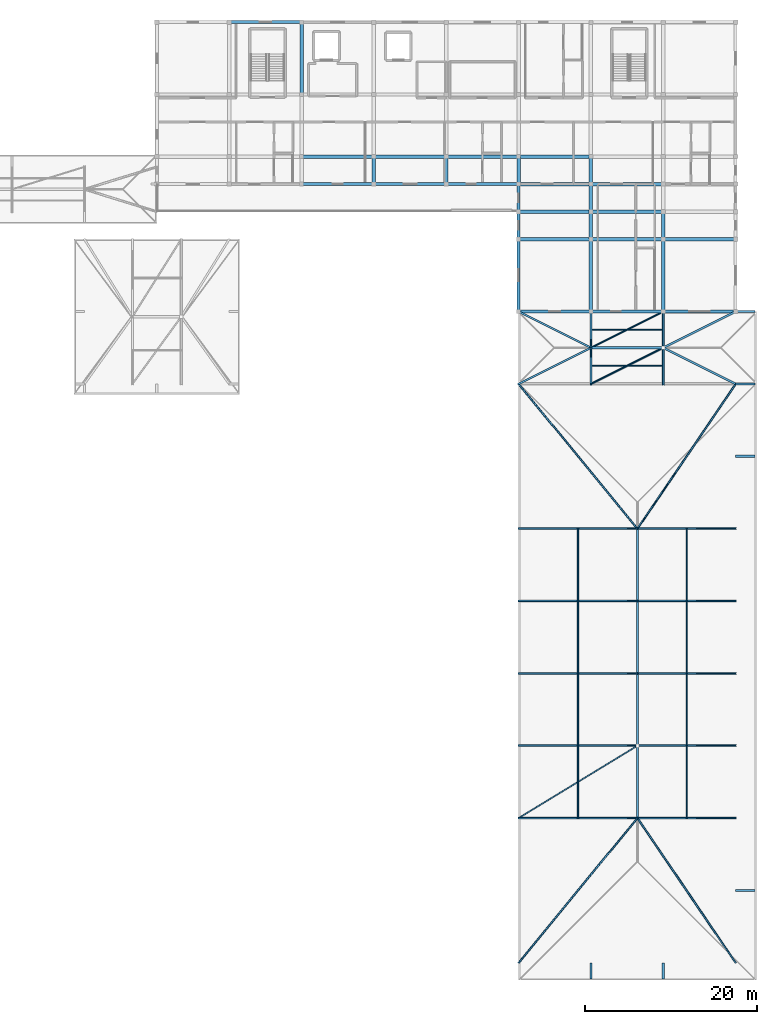
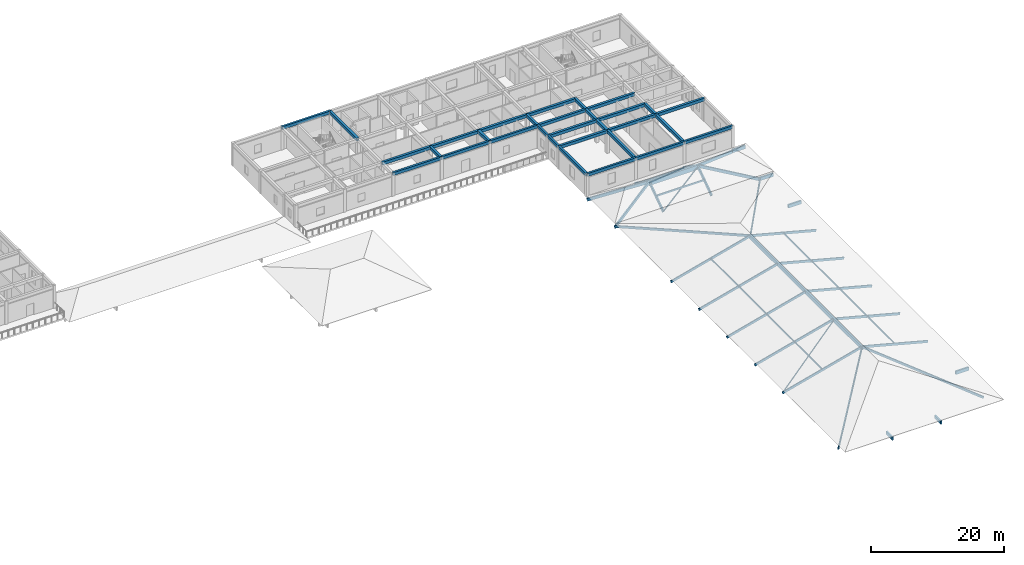
# One storey, part 5 of 26: 39 beams, 35 members.
"""IFC4 building model written with IfcOpenShell, lengths in metres."""

from ifc_helpers import new_model, si_unit, direction, frame, origin, origin_2d, place, context, subcontext, project, spatial, rectangle, hollow_rectangle, hollow_circle, extrude, material, material_profile, profile_set, type_object, element, save


model = new_model("IFC4")

# Units and contexts
model_context = context("Model", 3, precision=1e-05, world=origin(), true_north=direction((0.0, 1.0)))
body_context = subcontext(model_context, "Body", "Model", "MODEL_VIEW")
ifc_project = project(units=[si_unit("LENGTHUNIT", "METRE"), si_unit("AREAUNIT", "SQUARE_METRE"), si_unit("VOLUMEUNIT", "CUBIC_METRE"), si_unit("PLANEANGLEUNIT", "RADIAN"), si_unit("MASSUNIT", "GRAM", prefix="KILO")], contexts=[model_context])

# Site, building, storey
site_placement = place(None, origin())
site = spatial("IfcSite", under=ifc_project, at=site_placement, CompositionType="ELEMENT")
building_placement = place(site_placement, origin())
building = spatial("IfcBuilding", under=site, at=building_placement, Name="Varncliffe General Hospital", CompositionType="ELEMENT")
storey_placement = place(building_placement, frame((0.0, 0.0, 28.800048828125)))
storey = spatial("IfcBuildingStorey", under=building, at=storey_placement, Name="L06", CompositionType="ELEMENT", Elevation=28.800048828125)

# Beams
ifc_material_1 = material(Name="Concrete C35/45 (CSA A23.1 35 MPa)", Category="concrete")
ifc_material_profile_1 = material_profile(ifc_material_1, rectangle(XDim=0.39990234375, YDim=0.550048828125, at=origin_2d()), Name="RC 400x550")
ifc_profile_set_1 = profile_set([ifc_material_profile_1], Name="Concrete C35/45 (CSA A23.1 35 MPa)")
beam_type_1 = type_object("IfcBeamType", Name="Beam B32 (Int RC 400x550)", PredefinedType="BEAM", material=ifc_profile_set_1)
beam_1_placement = place(storey_placement, frame((151.199951171875, 99.60009765625, 3.925048828125), z_axis=(1.0, 0.0, 0.0), x_axis=(0.0, 1.0, 0.0)))
element("IfcBeam", 1, at=beam_1_placement, inside=storey, type_object=beam_type_1, Name="L06 Primary Beam B32-10", PredefinedType="BEAM", context=body_context, shape_type="SweptSolid", body=[
    extrude(rectangle(XDim=0.39990234375, YDim=0.550048828125, at=origin_2d()), origin(), (0.0, 0.0, 1.0), 8.400146484375),
])
for number, where, z_axis, x_axis, name in (
    (2, (159.60009765625, 99.60009765625, 3.925048828125), (1.0, 0.0, 0.0), (0.0, 1.0, 0.0), "L06 Primary Beam B32-11"),
    (3, (168.0, 99.60009765625, 3.925048828125), (1.0, 0.0, 0.0), (0.0, 1.0, 0.0), "L06 Primary Beam B32-12"),
):
    element("IfcBeam", number, at=place(storey_placement, frame(where, z_axis=z_axis, x_axis=x_axis)), inside=storey, type_object=beam_type_1, Name=name, PredefinedType="BEAM", context=body_context, shape_type="SweptSolid", body=[
        extrude(rectangle(XDim=0.39990234375, YDim=0.550048828125, at=origin_2d()), origin(), (0.0, 0.0, 1.0), 8.39990234375),
    ])
beam_2_placement = place(storey_placement, frame((151.199951171875, 102.800048828125, 3.925048828125), z_axis=(1.0, 0.0, 0.0), x_axis=(0.0, 1.0, 0.0)))
element("IfcBeam", 4, at=beam_2_placement, inside=storey, type_object=beam_type_1, Name="L06 Primary Beam B32-16", PredefinedType="BEAM", context=body_context, shape_type="SweptSolid", body=[
    extrude(rectangle(XDim=0.39990234375, YDim=0.550048828125, at=origin_2d()), origin(), (0.0, 0.0, 1.0), 8.400146484375),
])
beam_3_placement = place(storey_placement, frame((159.60009765625, 102.800048828125, 3.925048828125), z_axis=(1.0, 0.0, 0.0), x_axis=(0.0, 1.0, 0.0)))
element("IfcBeam", 5, at=beam_3_placement, inside=storey, type_object=beam_type_1, Name="L06 Primary Beam B32-17", PredefinedType="BEAM", context=body_context, shape_type="SweptSolid", body=[
    extrude(rectangle(XDim=0.39990234375, YDim=0.550048828125, at=origin_2d()), origin(), (0.0, 0.0, 1.0), 8.39990234375),
])
beam_4_placement = place(storey_placement, frame((151.199951171875, 106.0, 3.925048828125), z_axis=(1.0, 0.0, 0.0), x_axis=(0.0, 1.0, 0.0)))
element("IfcBeam", 6, at=beam_4_placement, inside=storey, type_object=beam_type_1, Name="L06 Primary Beam B32-32", PredefinedType="BEAM", context=body_context, shape_type="SweptSolid", body=[
    extrude(rectangle(XDim=0.39990234375, YDim=0.550048828125, at=origin_2d()), origin(), (0.0, 0.0, 1.0), 8.400146484375),
])
for number, where, z_axis, x_axis, name in (
    (7, (159.60009765625, 106.0, 3.925048828125), (1.0, 0.0, 0.0), (0.0, 1.0, 0.0), "L06 Primary Beam B32-33"),
    (8, (126.0, 109.199951171875, 3.925048828125), (1.0, 0.0, 0.0), (0.0, 1.0, 0.0), "L06 Primary Beam B32-45"),
):
    element("IfcBeam", number, at=place(storey_placement, frame(where, z_axis=z_axis, x_axis=x_axis)), inside=storey, type_object=beam_type_1, Name=name, PredefinedType="BEAM", context=body_context, shape_type="SweptSolid", body=[
        extrude(rectangle(XDim=0.39990234375, YDim=0.550048828125, at=origin_2d()), origin(), (0.0, 0.0, 1.0), 8.39990234375),
    ])
beam_5_placement = place(storey_placement, frame((134.39990234375, 109.199951171875, 3.925048828125), z_axis=(1.0, 0.0, 0.0), x_axis=(0.0, 1.0, 0.0)))
element("IfcBeam", 9, at=beam_5_placement, inside=storey, type_object=beam_type_1, Name="L06 Primary Beam B32-46", PredefinedType="BEAM", context=body_context, shape_type="SweptSolid", body=[
    extrude(rectangle(XDim=0.39990234375, YDim=0.550048828125, at=origin_2d()), origin(), (0.0, 0.0, 1.0), 8.400146484375),
])
beam_6_placement = place(storey_placement, frame((142.800048828125, 109.199951171875, 3.925048828125), z_axis=(1.0, 0.0, 0.0), x_axis=(0.0, 1.0, 0.0)))
element("IfcBeam", 10, at=beam_6_placement, inside=storey, type_object=beam_type_1, Name="L06 Primary Beam B32-47", PredefinedType="BEAM", context=body_context, shape_type="SweptSolid", body=[
    extrude(rectangle(XDim=0.39990234375, YDim=0.550048828125, at=origin_2d()), origin(), (0.0, 0.0, 1.0), 8.39990234375),
])
for number, where, z_axis, x_axis, name in (
    (11, (151.199951171875, 109.199951171875, 3.925048828125), (1.0, 0.0, 0.0), (0.0, 1.0, 0.0), "L06 Primary Beam B32-48"),
    (12, (126.0, 116.39990234375, 3.925048828125), (0.0, 1.0, 0.0), (-1.0, 0.0, 0.0), "L06 Primary Beam B32-130"),
):
    element("IfcBeam", number, at=place(storey_placement, frame(where, z_axis=z_axis, x_axis=x_axis)), inside=storey, type_object=beam_type_1, Name=name, PredefinedType="BEAM", context=body_context, shape_type="SweptSolid", body=[
        extrude(rectangle(XDim=0.39990234375, YDim=0.550048828125, at=origin_2d()), origin(), (0.0, 0.0, 1.0), 8.400146484375),
    ])
for number, where, z_axis, x_axis, name in (
    (13, (134.39990234375, 106.0, 3.925048828125), (0.0, 1.0, 0.0), (-1.0, 0.0, 0.0), "L06 Primary Beam B32-131"),
    (14, (142.800048828125, 106.0, 3.925048828125), (0.0, 1.0, 0.0), (-1.0, 0.0, 0.0), "L06 Primary Beam B32-134"),
    (15, (151.199951171875, 106.0, 3.925048828125), (0.0, 1.0, 0.0), (-1.0, 0.0, 0.0), "L06 Primary Beam B32-140"),
):
    element("IfcBeam", number, at=place(storey_placement, frame(where, z_axis=z_axis, x_axis=x_axis)), inside=storey, type_object=beam_type_1, Name=name, PredefinedType="BEAM", context=body_context, shape_type="SweptSolid", body=[
        extrude(rectangle(XDim=0.39990234375, YDim=0.550048828125, at=origin_2d()), origin(), (0.0, 0.0, 1.0), 3.199951171875),
    ])
beam_7_placement = place(storey_placement, frame((159.60009765625, 91.199951171875, 3.925048828125), z_axis=(0.0, 1.0, 0.0), x_axis=(-1.0, 0.0, 0.0)))
element("IfcBeam", 16, at=beam_7_placement, inside=storey, type_object=beam_type_1, Name="L06 Primary Beam B32-143", PredefinedType="BEAM", context=body_context, shape_type="SweptSolid", body=[
    extrude(rectangle(XDim=0.39990234375, YDim=0.550048828125, at=origin_2d()), origin(), (0.0, 0.0, 1.0), 8.400146484375),
])
for number, where, z_axis, x_axis, name in (
    (17, (159.60009765625, 99.60009765625, 3.925048828125), (0.0, 1.0, 0.0), (-1.0, 0.0, 0.0), "L06 Primary Beam B32-144"),
    (18, (159.60009765625, 102.800048828125, 3.925048828125), (0.0, 1.0, 0.0), (-1.0, 0.0, 0.0), "L06 Primary Beam B32-145"),
    (19, (159.60009765625, 106.0, 3.925048828125), (0.0, 1.0, 0.0), (-1.0, 0.0, 0.0), "L06 Primary Beam B32-146"),
):
    element("IfcBeam", number, at=place(storey_placement, frame(where, z_axis=z_axis, x_axis=x_axis)), inside=storey, type_object=beam_type_1, Name=name, PredefinedType="BEAM", context=body_context, shape_type="SweptSolid", body=[
        extrude(rectangle(XDim=0.39990234375, YDim=0.550048828125, at=origin_2d()), origin(), (0.0, 0.0, 1.0), 3.199951171875),
    ])
beam_8_placement = place(storey_placement, frame((168.0, 91.199951171875, 3.925048828125), z_axis=(0.0, 1.0, 0.0), x_axis=(-1.0, 0.0, 0.0)))
element("IfcBeam", 20, at=beam_8_placement, inside=storey, type_object=beam_type_1, Name="L06 Primary Beam B32-149", PredefinedType="BEAM", context=body_context, shape_type="SweptSolid", body=[
    extrude(rectangle(XDim=0.39990234375, YDim=0.550048828125, at=origin_2d()), origin(), (0.0, 0.0, 1.0), 8.400146484375),
])
beam_9_placement = place(storey_placement, frame((168.0, 99.60009765625, 3.925048828125), z_axis=(0.0, 1.0, 0.0), x_axis=(-1.0, 0.0, 0.0)))
element("IfcBeam", 21, at=beam_9_placement, inside=storey, type_object=beam_type_1, Name="L06 Primary Beam B32-150", PredefinedType="BEAM", context=body_context, shape_type="SweptSolid", body=[
    extrude(rectangle(XDim=0.39990234375, YDim=0.550048828125, at=origin_2d()), origin(), (0.0, 0.0, 1.0), 3.199951171875),
])
ifc_material_2 = material(Name="Glulam GL28h (CSA O86 24f-EX, 30 MPa)", Category="wood")
ifc_material_profile_2 = material_profile(ifc_material_2, rectangle(XDim=0.264892578125, YDim=0.68408203125, at=origin_2d()), Name="GL 265x684")
ifc_profile_set_2 = profile_set([ifc_material_profile_2], Name="Glulam GL28h (CSA O86 24f-EX, 30 MPa)")
beam_type_2 = type_object("IfcBeamType", Name="Beam B72 (Int GL 265x684)", PredefinedType="BEAM", material=ifc_profile_set_2)
beam_10_placement = place(storey_placement, frame((165.0, 32.239990234375, 3.020751953125), z_axis=(0.0, 1.0, 0.0), x_axis=(-1.0, 0.0, 0.0)))
element("IfcBeam", 22, at=beam_10_placement, inside=storey, type_object=beam_type_2, Name="L06 RF-V5-E Glulam Ridge Girder", PredefinedType="BEAM", context=body_context, shape_type="SweptSolid", body=[
    extrude(rectangle(XDim=0.264892578125, YDim=0.68408203125, at=origin_2d()), origin(), (0.0, 0.0, 1.0), 33.919921875),
])
ifc_material_profile_3 = material_profile(ifc_material_2, rectangle(XDim=0.31494140625, YDim=0.8359375, at=origin_2d()), Name="GL 315x836")
ifc_profile_set_3 = profile_set([ifc_material_profile_3], Name="Glulam GL28h (CSA O86 24f-EX, 30 MPa)")
beam_type_3 = type_object("IfcBeamType", Name="Beam B74 (Int GL 315x836)", PredefinedType="BEAM", material=ifc_profile_set_3)
beam_11_placement = place(storey_placement, frame((159.43994140625, 87.0, 2.041748046875), z_axis=(1.0, 0.0, 0.0), x_axis=(0.0, 1.0, 0.0)))
element("IfcBeam", 23, at=beam_11_placement, inside=storey, type_object=beam_type_3, Name="L06 RF-V6-SE1 Glulam Ridge Girder", PredefinedType="BEAM", context=body_context, shape_type="SweptSolid", body=[
    extrude(rectangle(XDim=0.31494140625, YDim=0.8359375, at=origin_2d()), origin(), (0.0, 0.0, 1.0), 8.719970703125),
])
ifc_material_profile_4 = material_profile(ifc_material_2, rectangle(XDim=0.264892578125, YDim=0.60791015625, at=origin_2d()), Name="GL 265x608")
ifc_profile_set_4 = profile_set([ifc_material_profile_4], Name="Glulam GL28h (CSA O86 24f-EX, 30 MPa)")
beam_type_4 = type_object("IfcBeamType", Name="Beam B82 (Ext GL 265x608)", PredefinedType="BEAM", material=ifc_profile_set_4)
for number, where, z_axis, x_axis, name in (
    (24, (176.39990234375, 24.0, -0.49072265625), (1.0, 0.0, 0.0), (0.0, 1.0, 0.0), "L06 RF-V5-E East Eave Lookout Bracket 1"),
    (25, (176.39990234375, 74.39990234375, -0.49072265625), (1.0, 0.0, 0.0), (0.0, 1.0, 0.0), "L06 RF-V5-E East Eave Lookout Bracket 2"),
):
    element("IfcBeam", number, at=place(storey_placement, frame(where, z_axis=z_axis, x_axis=x_axis)), inside=storey, type_object=beam_type_4, Name=name, PredefinedType="BEAM", context=body_context, shape_type="SweptSolid", body=[
        extrude(rectangle(XDim=0.264892578125, YDim=0.60791015625, at=origin_2d()), origin(), (0.0, 0.0, 1.0), 2.260009765625),
    ])
for number, where, z_axis, x_axis, name in (
    (26, (159.60009765625, 13.739990234375, -0.49072265625), (0.0, 1.0, 0.0), (-1.0, 0.0, 0.0), "L06 RF-V5-E South Eave Lookout Bracket 1"),
    (27, (168.0, 13.739990234375, -0.49072265625), (0.0, 1.0, 0.0), (-1.0, 0.0, 0.0), "L06 RF-V5-E South Eave Lookout Bracket 2"),
):
    element("IfcBeam", number, at=place(storey_placement, frame(where, z_axis=z_axis, x_axis=x_axis)), inside=storey, type_object=beam_type_4, Name=name, PredefinedType="BEAM", context=body_context, shape_type="SweptSolid", body=[
        extrude(rectangle(XDim=0.264892578125, YDim=0.60791015625, at=origin_2d()), origin(), (0.0, 0.0, 1.0), 1.860107421875),
    ])
for number, where, z_axis, x_axis, name in (
    (28, (176.39990234375, 82.800048828125, -0.54833984375), (1.0, 0.0, 0.0), (0.0, 1.0, 0.0), "L06 RF-V6-SE1 East Eave Lookout Bracket 1"),
    (29, (176.39990234375, 91.199951171875, -0.54833984375), (1.0, 0.0, 0.0), (0.0, 1.0, 0.0), "L06 RF-V6-SE1 East Eave Lookout Bracket 2"),
):
    element("IfcBeam", number, at=place(storey_placement, frame(where, z_axis=z_axis, x_axis=x_axis)), inside=storey, type_object=beam_type_4, Name=name, PredefinedType="BEAM", context=body_context, shape_type="SweptSolid", body=[
        extrude(rectangle(XDim=0.264892578125, YDim=0.60791015625, at=origin_2d()), origin(), (0.0, 0.0, 1.0), 2.260009765625),
    ])

# Members
ifc_material_3 = material(Name="Steel S355 (CSA G40.21 350W)", Category="steel")
ifc_material_profile_5 = material_profile(ifc_material_3, hollow_circle(Radius=0.109619140625, WallThickness=0.00830078125, at=origin_2d()), Name="CHS 219x8.2")
ifc_profile_set_5 = profile_set([ifc_material_profile_5], Name="Steel S355 (CSA G40.21 350W)")
member_type_1 = type_object("IfcMemberType", Name="Member MB17 (BRACE Int CHS 219x8.2)", PredefinedType="BRACE", material=ifc_profile_set_5)
for number, where, z_axis, x_axis, name in (
    (30, (159.60009765625, 82.800048828125, -0.695068359375), (0.858707470796, 0.429353735398, 0.279780001965), (-0.4472135955, 0.894427191, 0.0), "L06 RF-V6-SE1 Lateral Wind Brace 1"),
    (31, (168.0, 91.199951171875, -0.695068359375), (-0.858707470796, -0.429353735398, 0.279780001965), (0.4472135955, -0.894427191, 0.0), "L06 RF-V6-SE1 Lateral Wind Brace 2"),
):
    element("IfcMember", number, at=place(storey_placement, frame(where, z_axis=z_axis, x_axis=x_axis)), inside=storey, type_object=member_type_1, Name=name, PredefinedType="BRACE", context=body_context, shape_type="SweptSolid", body=[
        extrude(hollow_circle(Radius=0.109619140625, WallThickness=0.00830078125, at=origin_2d()), origin(), (0.0, 0.0, 1.0), 9.781982421875),
    ])
ifc_material_profile_6 = material_profile(ifc_material_2, rectangle(XDim=0.1298828125, YDim=0.26611328125, at=origin_2d()), Name="GL 130x266")
ifc_profile_set_6 = profile_set([ifc_material_profile_6], Name="Glulam GL28h (CSA O86 24f-EX, 30 MPa)")
member_type_2 = type_object("IfcMemberType", Name="Member MB19 (PURLIN Int GL 130x266)", PredefinedType="PURLIN", material=ifc_profile_set_6)
member_1_placement = place(storey_placement, frame((158.10009765625, 32.39990234375, 1.436767578125), z_axis=(0.0, 1.0, 0.0), x_axis=(-1.0, 0.0, 0.0)))
element("IfcMember", 32, at=member_1_placement, inside=storey, type_object=member_type_2, Name="L06 RF-V5-E Timber Purlin W1", PredefinedType="PURLIN", context=body_context, shape_type="SweptSolid", body=[
    extrude(rectangle(XDim=0.1298828125, YDim=0.26611328125, at=origin_2d()), origin(), (0.0, 0.0, 1.0), 8.400146484375),
])
member_2_placement = place(storey_placement, frame((158.10009765625, 40.800048828125, 1.436767578125), z_axis=(0.0, 1.0, 0.0), x_axis=(-1.0, 0.0, 0.0)))
element("IfcMember", 33, at=member_2_placement, inside=storey, type_object=member_type_2, Name="L06 RF-V5-E Timber Purlin W2", PredefinedType="PURLIN", context=body_context, shape_type="SweptSolid", body=[
    extrude(rectangle(XDim=0.1298828125, YDim=0.26611328125, at=origin_2d()), origin(), (0.0, 0.0, 1.0), 8.39990234375),
])
member_3_placement = place(storey_placement, frame((158.10009765625, 49.199951171875, 1.436767578125), z_axis=(0.0, 1.0, 0.0), x_axis=(-1.0, 0.0, 0.0)))
element("IfcMember", 34, at=member_3_placement, inside=storey, type_object=member_type_2, Name="L06 RF-V5-E Timber Purlin W3", PredefinedType="PURLIN", context=body_context, shape_type="SweptSolid", body=[
    extrude(rectangle(XDim=0.1298828125, YDim=0.26611328125, at=origin_2d()), origin(), (0.0, 0.0, 1.0), 8.400146484375),
])
member_4_placement = place(storey_placement, frame((158.10009765625, 57.60009765625, 1.436767578125), z_axis=(0.0, 1.0, 0.0), x_axis=(-1.0, 0.0, 0.0)))
element("IfcMember", 35, at=member_4_placement, inside=storey, type_object=member_type_2, Name="L06 RF-V5-E Timber Purlin W4", PredefinedType="PURLIN", context=body_context, shape_type="SweptSolid", body=[
    extrude(rectangle(XDim=0.1298828125, YDim=0.26611328125, at=origin_2d()), origin(), (0.0, 0.0, 1.0), 8.39990234375),
])
member_5_placement = place(storey_placement, frame((170.699951171875, 32.39990234375, 1.7529296875), z_axis=(0.0, 1.0, 0.0), x_axis=(-1.0, 0.0, 0.0)))
element("IfcMember", 36, at=member_5_placement, inside=storey, type_object=member_type_2, Name="L06 RF-V5-E Timber Purlin E1", PredefinedType="PURLIN", context=body_context, shape_type="SweptSolid", body=[
    extrude(rectangle(XDim=0.1298828125, YDim=0.26611328125, at=origin_2d()), origin(), (0.0, 0.0, 1.0), 8.400146484375),
])
member_6_placement = place(storey_placement, frame((170.699951171875, 40.800048828125, 1.7529296875), z_axis=(0.0, 1.0, 0.0), x_axis=(-1.0, 0.0, 0.0)))
element("IfcMember", 37, at=member_6_placement, inside=storey, type_object=member_type_2, Name="L06 RF-V5-E Timber Purlin E2", PredefinedType="PURLIN", context=body_context, shape_type="SweptSolid", body=[
    extrude(rectangle(XDim=0.1298828125, YDim=0.26611328125, at=origin_2d()), origin(), (0.0, 0.0, 1.0), 8.39990234375),
])
member_7_placement = place(storey_placement, frame((170.699951171875, 49.199951171875, 1.7529296875), z_axis=(0.0, 1.0, 0.0), x_axis=(-1.0, 0.0, 0.0)))
element("IfcMember", 38, at=member_7_placement, inside=storey, type_object=member_type_2, Name="L06 RF-V5-E Timber Purlin E3", PredefinedType="PURLIN", context=body_context, shape_type="SweptSolid", body=[
    extrude(rectangle(XDim=0.1298828125, YDim=0.26611328125, at=origin_2d()), origin(), (0.0, 0.0, 1.0), 8.400146484375),
])
member_8_placement = place(storey_placement, frame((170.699951171875, 57.60009765625, 1.7529296875), z_axis=(0.0, 1.0, 0.0), x_axis=(-1.0, 0.0, 0.0)))
element("IfcMember", 39, at=member_8_placement, inside=storey, type_object=member_type_2, Name="L06 RF-V5-E Timber Purlin E4", PredefinedType="PURLIN", context=body_context, shape_type="SweptSolid", body=[
    extrude(rectangle(XDim=0.1298828125, YDim=0.26611328125, at=origin_2d()), origin(), (0.0, 0.0, 1.0), 8.39990234375),
])
ifc_material_profile_7 = material_profile(ifc_material_2, rectangle(XDim=0.1298828125, YDim=0.303955078125, at=origin_2d()), Name="GL 130x304")
ifc_profile_set_7 = profile_set([ifc_material_profile_7], Name="Glulam GL28h (CSA O86 24f-EX, 30 MPa)")
member_type_3 = type_object("IfcMemberType", Name="Member MB40 (PURLIN Int GL 130x304)", PredefinedType="PURLIN", material=ifc_profile_set_7)
for number, where, z_axis, x_axis, name in (
    (40, (159.60009765625, 84.89990234375, 0.927490234375), (1.0, 0.0, 0.0), (0.0, 1.0, 0.0), "L06 RF-V6-SE1 Timber Purlin S1"),
    (41, (159.60009765625, 89.10009765625, 0.927490234375), (1.0, 0.0, 0.0), (0.0, 1.0, 0.0), "L06 RF-V6-SE1 Timber Purlin N1"),
):
    element("IfcMember", number, at=place(storey_placement, frame(where, z_axis=z_axis, x_axis=x_axis)), inside=storey, type_object=member_type_3, Name=name, PredefinedType="PURLIN", context=body_context, shape_type="SweptSolid", body=[
        extrude(rectangle(XDim=0.1298828125, YDim=0.303955078125, at=origin_2d()), origin(), (0.0, 0.0, 1.0), 8.39990234375),
    ])
ifc_material_profile_8 = material_profile(ifc_material_2, rectangle(XDim=0.215087890625, YDim=0.531982421875, at=origin_2d()), Name="GL 215x532")
ifc_profile_set_8 = profile_set([ifc_material_profile_8], Name="Glulam GL28h (CSA O86 24f-EX, 30 MPa)")
member_type_4 = type_object("IfcMemberType", Name="Member MB62 (RAFTER Int GL 215x532)", PredefinedType="RAFTER", material=ifc_profile_set_8)
for number, where, z_axis, x_axis, name in (
    (42, (151.199951171875, 82.800048828125, -0.650146484375), (0.854710469433, 0.427330260708, 0.29471827518), (-0.447192687532, 0.894437644678, 0.0), "L06 RF-V6-SE1 Hip Rafter SW"),
    (43, (151.199951171875, 91.199951171875, -0.650146484375), (0.854710469433, -0.427330260708, 0.29471827518), (0.447192687532, 0.894437644678, 0.0), "L06 RF-V6-SE1 Hip Rafter NW"),
):
    element("IfcMember", number, at=place(storey_placement, frame(where, z_axis=z_axis, x_axis=x_axis)), inside=storey, type_object=member_type_4, Name=name, PredefinedType="RAFTER", context=body_context, shape_type="SweptSolid", body=[
        extrude(rectangle(XDim=0.215087890625, YDim=0.531982421875, at=origin_2d()), origin(), (0.0, 0.0, 1.0), 9.77587890625),
    ])
for number, where, z_axis, x_axis, name in (
    (44, (176.39990234375, 82.800048828125, -0.650146484375), (-0.854703739471, 0.427339382465, 0.294724566213), (-0.447203141302, -0.894432418022, 0.0), "L06 RF-V6-SE1 Hip Rafter SE"),
    (45, (176.39990234375, 91.199951171875, -0.650146484375), (-0.854703739471, -0.427339382465, 0.294724566213), (0.447203141302, -0.894432418022, 0.0), "L06 RF-V6-SE1 Hip Rafter NE"),
):
    element("IfcMember", number, at=place(storey_placement, frame(where, z_axis=z_axis, x_axis=x_axis)), inside=storey, type_object=member_type_4, Name=name, PredefinedType="RAFTER", context=body_context, shape_type="SweptSolid", body=[
        extrude(rectangle(XDim=0.215087890625, YDim=0.531982421875, at=origin_2d()), origin(), (0.0, 0.0, 1.0), 9.775634765625),
    ])
for number, where, z_axis, x_axis, name in (
    (46, (159.60009765625, 82.800048828125, -0.695068359375), (0.0, 0.823201050111, 0.567749972344), (-1.0, 0.0, 0.0), "L06 RF-V6-SE1 South Sloped Glulam Rafter 1"),
    (47, (159.60009765625, 91.199951171875, -0.695068359375), (0.0, -0.823201050111, 0.567749972344), (1.0, 0.0, 0.0), "L06 RF-V6-SE1 North Sloped Glulam Rafter 1"),
    (48, (168.0, 82.800048828125, -0.695068359375), (0.0, 0.823201050111, 0.567749972344), (-1.0, 0.0, 0.0), "L06 RF-V6-SE1 South Sloped Glulam Rafter 2"),
    (49, (168.0, 91.199951171875, -0.695068359375), (0.0, -0.823201050111, 0.567749972344), (1.0, 0.0, 0.0), "L06 RF-V6-SE1 North Sloped Glulam Rafter 2"),
):
    element("IfcMember", number, at=place(storey_placement, frame(where, z_axis=z_axis, x_axis=x_axis)), inside=storey, type_object=member_type_4, Name=name, PredefinedType="RAFTER", context=body_context, shape_type="SweptSolid", body=[
        extrude(rectangle(XDim=0.215087890625, YDim=0.531982421875, at=origin_2d()), origin(), (0.0, 0.0, 1.0), 5.029052734375),
    ])
ifc_material_profile_9 = material_profile(ifc_material_3, hollow_rectangle(XDim=0.152099609375, YDim=0.152099609375, WallThickness=0.008056640625, InnerFilletRadius=0.008056640625, OuterFilletRadius=0.01611328125, at=origin_2d()), Name="HSS 152x152x8.0")
ifc_profile_set_9 = profile_set([ifc_material_profile_9], Name="Steel S355 (CSA G40.21 350W)")
member_type_5 = type_object("IfcMemberType", Name="Member MB64 (BRACE Int HSS 152x152x8.0)", PredefinedType="BRACE", material=ifc_profile_set_9)
member_9_placement = place(storey_placement, frame((151.199951171875, 32.39990234375, -0.468017578125), z_axis=(0.834948889923, 0.508236823628, 0.211082169606), x_axis=(-0.519952220388, 0.85419534564, 0.0)))
element("IfcMember", 50, at=member_9_placement, inside=storey, type_object=member_type_5, Name="L06 RF-V5-E Lateral Wind Brace 1", PredefinedType="BRACE", context=body_context, shape_type="SweptSolid", body=[
    extrude(hollow_rectangle(XDim=0.152099609375, YDim=0.152099609375, WallThickness=0.008056640625, InnerFilletRadius=0.008056640625, OuterFilletRadius=0.01611328125, at=origin_2d()), origin(), (0.0, 0.0, 1.0), 16.528076171875),
])
ifc_material_profile_10 = material_profile(ifc_material_2, rectangle(XDim=0.175048828125, YDim=0.41796875, at=origin_2d()), Name="GL 175x418")
ifc_profile_set_10 = profile_set([ifc_material_profile_10], Name="Glulam GL28h (CSA O86 24f-EX, 30 MPa)")
member_type_6 = type_object("IfcMemberType", Name="Member MB73 (RAFTER Int GL 175x418)", PredefinedType="RAFTER", material=ifc_profile_set_10)
member_10_placement = place(storey_placement, frame((151.199951171875, 15.60009765625, -0.463623046875), z_axis=(0.626045345055, 0.762133471396, 0.164984234741), x_axis=(-0.772722705616, 0.634743743747, 0.0)))
element("IfcMember", 51, at=member_10_placement, inside=storey, type_object=member_type_6, Name="L06 RF-V5-E Hip Rafter SW", PredefinedType="RAFTER", context=body_context, shape_type="SweptSolid", body=[
    extrude(rectangle(XDim=0.175048828125, YDim=0.41796875, at=origin_2d()), origin(), (0.0, 0.0, 1.0), 21.992431640625),
])
member_11_placement = place(storey_placement, frame((176.39990234375, 15.60009765625, 0.06396484375), z_axis=(-0.555026087219, 0.817936316902, 0.151414081245), x_axis=(-0.827476774569, -0.561499944389, 0.0)))
element("IfcMember", 52, at=member_11_placement, inside=storey, type_object=member_type_6, Name="L06 RF-V5-E Hip Rafter SE", PredefinedType="RAFTER", context=body_context, shape_type="SweptSolid", body=[
    extrude(rectangle(XDim=0.175048828125, YDim=0.41796875, at=origin_2d()), origin(), (0.0, 0.0, 1.0), 20.48876953125),
])
member_12_placement = place(storey_placement, frame((151.199951171875, 82.800048828125, -0.463623046875), z_axis=(0.626040048424, -0.762138124383, 0.164982838899), x_axis=(0.772727240321, 0.634738223259, 0.0)))
element("IfcMember", 53, at=member_12_placement, inside=storey, type_object=member_type_6, Name="L06 RF-V5-E Hip Rafter NW", PredefinedType="RAFTER", context=body_context, shape_type="SweptSolid", body=[
    extrude(rectangle(XDim=0.175048828125, YDim=0.41796875, at=origin_2d()), origin(), (0.0, 0.0, 1.0), 21.99267578125),
])
member_13_placement = place(storey_placement, frame((176.39990234375, 82.800048828125, -0.464111328125), z_axis=(-0.55269518529, -0.814501290363, 0.176396372282), x_axis=(0.827476774569, -0.561499944389, 0.0)))
element("IfcMember", 54, at=member_13_placement, inside=storey, type_object=member_type_6, Name="L06 RF-V5-E Hip Rafter NE", PredefinedType="RAFTER", context=body_context, shape_type="SweptSolid", body=[
    extrude(rectangle(XDim=0.175048828125, YDim=0.41796875, at=origin_2d()), origin(), (0.0, 0.0, 1.0), 20.5751953125),
])
member_14_placement = place(storey_placement, frame((151.199951171875, 32.39990234375, -0.468017578125), z_axis=(0.966982555241, 0.0, 0.254842574661), x_axis=(0.0, 1.0, 0.0)))
element("IfcMember", 55, at=member_14_placement, inside=storey, type_object=member_type_6, Name="L06 RF-V5-E West Sloped Glulam Rafter 1", PredefinedType="RAFTER", context=body_context, shape_type="SweptSolid", body=[
    extrude(rectangle(XDim=0.175048828125, YDim=0.41796875, at=origin_2d()), origin(), (0.0, 0.0, 1.0), 14.209228515625),
])
member_15_placement = place(storey_placement, frame((176.39990234375, 32.39990234375, 0.16455078125), z_axis=(-0.966983056336, 0.0, 0.254840673282), x_axis=(0.0, -1.0, 0.0)))
element("IfcMember", 56, at=member_15_placement, inside=storey, type_object=member_type_6, Name="L06 RF-V5-E East Sloped Glulam Rafter 1", PredefinedType="RAFTER", context=body_context, shape_type="SweptSolid", body=[
    extrude(rectangle(XDim=0.175048828125, YDim=0.41796875, at=origin_2d()), origin(), (0.0, 0.0, 1.0), 11.72705078125),
])
member_16_placement = place(storey_placement, frame((151.199951171875, 40.800048828125, -0.468017578125), z_axis=(0.966982555241, 0.0, 0.254842574661), x_axis=(0.0, 1.0, 0.0)))
element("IfcMember", 57, at=member_16_placement, inside=storey, type_object=member_type_6, Name="L06 RF-V5-E West Sloped Glulam Rafter 2", PredefinedType="RAFTER", context=body_context, shape_type="SweptSolid", body=[
    extrude(rectangle(XDim=0.175048828125, YDim=0.41796875, at=origin_2d()), origin(), (0.0, 0.0, 1.0), 14.209228515625),
])
member_17_placement = place(storey_placement, frame((176.39990234375, 40.800048828125, 0.16455078125), z_axis=(-0.966983056336, 0.0, 0.254840673282), x_axis=(0.0, -1.0, 0.0)))
element("IfcMember", 58, at=member_17_placement, inside=storey, type_object=member_type_6, Name="L06 RF-V5-E East Sloped Glulam Rafter 2", PredefinedType="RAFTER", context=body_context, shape_type="SweptSolid", body=[
    extrude(rectangle(XDim=0.175048828125, YDim=0.41796875, at=origin_2d()), origin(), (0.0, 0.0, 1.0), 11.72705078125),
])
member_18_placement = place(storey_placement, frame((151.199951171875, 49.199951171875, -0.468017578125), z_axis=(0.966982555241, 0.0, 0.254842574661), x_axis=(0.0, 1.0, 0.0)))
element("IfcMember", 59, at=member_18_placement, inside=storey, type_object=member_type_6, Name="L06 RF-V5-E West Sloped Glulam Rafter 3", PredefinedType="RAFTER", context=body_context, shape_type="SweptSolid", body=[
    extrude(rectangle(XDim=0.175048828125, YDim=0.41796875, at=origin_2d()), origin(), (0.0, 0.0, 1.0), 14.209228515625),
])
member_19_placement = place(storey_placement, frame((176.39990234375, 49.199951171875, 0.16455078125), z_axis=(-0.966983056336, 0.0, 0.254840673282), x_axis=(0.0, -1.0, 0.0)))
element("IfcMember", 60, at=member_19_placement, inside=storey, type_object=member_type_6, Name="L06 RF-V5-E East Sloped Glulam Rafter 3", PredefinedType="RAFTER", context=body_context, shape_type="SweptSolid", body=[
    extrude(rectangle(XDim=0.175048828125, YDim=0.41796875, at=origin_2d()), origin(), (0.0, 0.0, 1.0), 11.72705078125),
])
member_20_placement = place(storey_placement, frame((151.199951171875, 57.60009765625, -0.468017578125), z_axis=(0.966982555241, 0.0, 0.254842574661), x_axis=(0.0, 1.0, 0.0)))
element("IfcMember", 61, at=member_20_placement, inside=storey, type_object=member_type_6, Name="L06 RF-V5-E West Sloped Glulam Rafter 4", PredefinedType="RAFTER", context=body_context, shape_type="SweptSolid", body=[
    extrude(rectangle(XDim=0.175048828125, YDim=0.41796875, at=origin_2d()), origin(), (0.0, 0.0, 1.0), 14.209228515625),
])
member_21_placement = place(storey_placement, frame((176.39990234375, 57.60009765625, 0.16455078125), z_axis=(-0.966983056336, 0.0, 0.254840673282), x_axis=(0.0, -1.0, 0.0)))
element("IfcMember", 62, at=member_21_placement, inside=storey, type_object=member_type_6, Name="L06 RF-V5-E East Sloped Glulam Rafter 4", PredefinedType="RAFTER", context=body_context, shape_type="SweptSolid", body=[
    extrude(rectangle(XDim=0.175048828125, YDim=0.41796875, at=origin_2d()), origin(), (0.0, 0.0, 1.0), 11.72705078125),
])
member_22_placement = place(storey_placement, frame((151.199951171875, 66.0, -0.468017578125), z_axis=(0.966982555241, 0.0, 0.254842574661), x_axis=(0.0, 1.0, 0.0)))
element("IfcMember", 63, at=member_22_placement, inside=storey, type_object=member_type_6, Name="L06 RF-V5-E West Sloped Glulam Rafter 5", PredefinedType="RAFTER", context=body_context, shape_type="SweptSolid", body=[
    extrude(rectangle(XDim=0.175048828125, YDim=0.41796875, at=origin_2d()), origin(), (0.0, 0.0, 1.0), 14.209228515625),
])
member_23_placement = place(storey_placement, frame((176.39990234375, 66.0, 0.16455078125), z_axis=(-0.966983056336, 0.0, 0.254840673282), x_axis=(0.0, -1.0, 0.0)))
element("IfcMember", 64, at=member_23_placement, inside=storey, type_object=member_type_6, Name="L06 RF-V5-E East Sloped Glulam Rafter 5", PredefinedType="RAFTER", context=body_context, shape_type="SweptSolid", body=[
    extrude(rectangle(XDim=0.175048828125, YDim=0.41796875, at=origin_2d()), origin(), (0.0, 0.0, 1.0), 11.72705078125),
])

# Beams
ifc_material_profile_11 = material_profile(ifc_material_1, rectangle(XDim=0.35009765625, YDim=0.550048828125, at=origin_2d()), Name="RC 350x550")
ifc_profile_set_11 = profile_set([ifc_material_profile_11], Name="Concrete C35/45 (CSA A23.1 35 MPa)")
beam_type_5 = type_object("IfcBeamType", Name="Spandrel SP20 (Ext RC 350x550)", PredefinedType="SPANDREL", material=ifc_profile_set_11)
beam_12_placement = place(storey_placement, frame((151.199951171875, 91.199951171875, 3.925048828125), z_axis=(1.0, 0.0, 0.0), x_axis=(0.0, 1.0, 0.0)))
element("IfcBeam", 65, at=beam_12_placement, inside=storey, type_object=beam_type_5, Name="L06 Spandrel Beam SP20-4", PredefinedType="SPANDREL", context=body_context, shape_type="SweptSolid", body=[
    extrude(rectangle(XDim=0.35009765625, YDim=0.550048828125, at=origin_2d()), origin(), (0.0, 0.0, 1.0), 8.400146484375),
])
for number, where, z_axis, x_axis, name in (
    (66, (159.60009765625, 91.199951171875, 3.925048828125), (1.0, 0.0, 0.0), (0.0, 1.0, 0.0), "L06 Spandrel Beam SP20-5"),
    (67, (168.0, 91.199951171875, 3.925048828125), (1.0, 0.0, 0.0), (0.0, 1.0, 0.0), "L06 Spandrel Beam SP20-6"),
    (68, (126.0, 106.0, 3.925048828125), (1.0, 0.0, 0.0), (0.0, 1.0, 0.0), "L06 Spandrel Beam SP20-29"),
):
    element("IfcBeam", number, at=place(storey_placement, frame(where, z_axis=z_axis, x_axis=x_axis)), inside=storey, type_object=beam_type_5, Name=name, PredefinedType="SPANDREL", context=body_context, shape_type="SweptSolid", body=[
        extrude(rectangle(XDim=0.35009765625, YDim=0.550048828125, at=origin_2d()), origin(), (0.0, 0.0, 1.0), 8.39990234375),
    ])
beam_13_placement = place(storey_placement, frame((134.39990234375, 106.0, 3.925048828125), z_axis=(1.0, 0.0, 0.0), x_axis=(0.0, 1.0, 0.0)))
element("IfcBeam", 69, at=beam_13_placement, inside=storey, type_object=beam_type_5, Name="L06 Spandrel Beam SP20-30", PredefinedType="SPANDREL", context=body_context, shape_type="SweptSolid", body=[
    extrude(rectangle(XDim=0.35009765625, YDim=0.550048828125, at=origin_2d()), origin(), (0.0, 0.0, 1.0), 8.400146484375),
])
for number, where, z_axis, x_axis, name in (
    (70, (142.800048828125, 106.0, 3.925048828125), (1.0, 0.0, 0.0), (0.0, 1.0, 0.0), "L06 Spandrel Beam SP20-31"),
    (71, (117.60009765625, 124.800048828125, 3.925048828125), (1.0, 0.0, 0.0), (0.0, 1.0, 0.0), "L06 Spandrel Beam SP20-76"),
):
    element("IfcBeam", number, at=place(storey_placement, frame(where, z_axis=z_axis, x_axis=x_axis)), inside=storey, type_object=beam_type_5, Name=name, PredefinedType="SPANDREL", context=body_context, shape_type="SweptSolid", body=[
        extrude(rectangle(XDim=0.35009765625, YDim=0.550048828125, at=origin_2d()), origin(), (0.0, 0.0, 1.0), 8.39990234375),
    ])
beam_14_placement = place(storey_placement, frame((151.199951171875, 91.199951171875, 3.925048828125), z_axis=(0.0, 1.0, 0.0), x_axis=(-1.0, 0.0, 0.0)))
element("IfcBeam", 72, at=beam_14_placement, inside=storey, type_object=beam_type_5, Name="L06 Spandrel Beam SP20-137", PredefinedType="SPANDREL", context=body_context, shape_type="SweptSolid", body=[
    extrude(rectangle(XDim=0.35009765625, YDim=0.550048828125, at=origin_2d()), origin(), (0.0, 0.0, 1.0), 8.400146484375),
])
for number, where, z_axis, x_axis, name in (
    (73, (151.199951171875, 99.60009765625, 3.925048828125), (0.0, 1.0, 0.0), (-1.0, 0.0, 0.0), "L06 Spandrel Beam SP20-138"),
    (74, (151.199951171875, 102.800048828125, 3.925048828125), (0.0, 1.0, 0.0), (-1.0, 0.0, 0.0), "L06 Spandrel Beam SP20-139"),
):
    element("IfcBeam", number, at=place(storey_placement, frame(where, z_axis=z_axis, x_axis=x_axis)), inside=storey, type_object=beam_type_5, Name=name, PredefinedType="SPANDREL", context=body_context, shape_type="SweptSolid", body=[
        extrude(rectangle(XDim=0.35009765625, YDim=0.550048828125, at=origin_2d()), origin(), (0.0, 0.0, 1.0), 3.199951171875),
    ])

save(model, "model.ifc")
